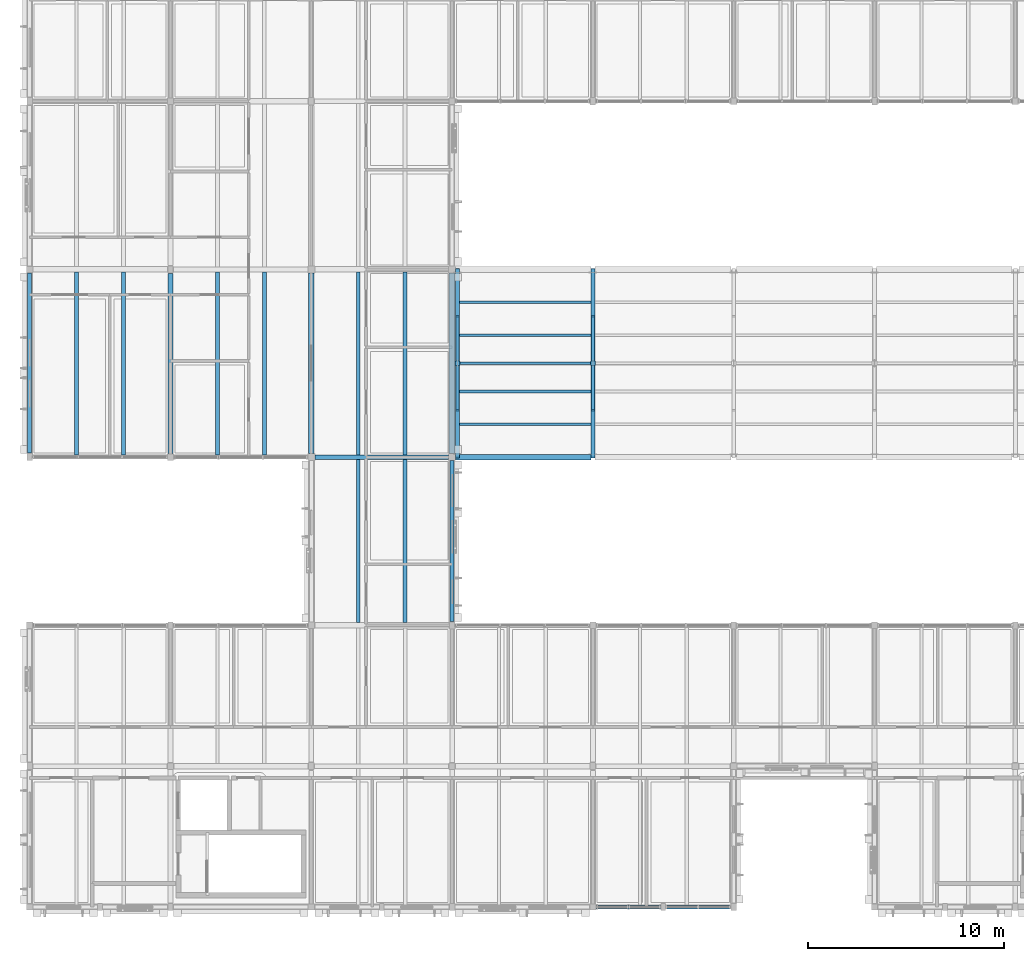
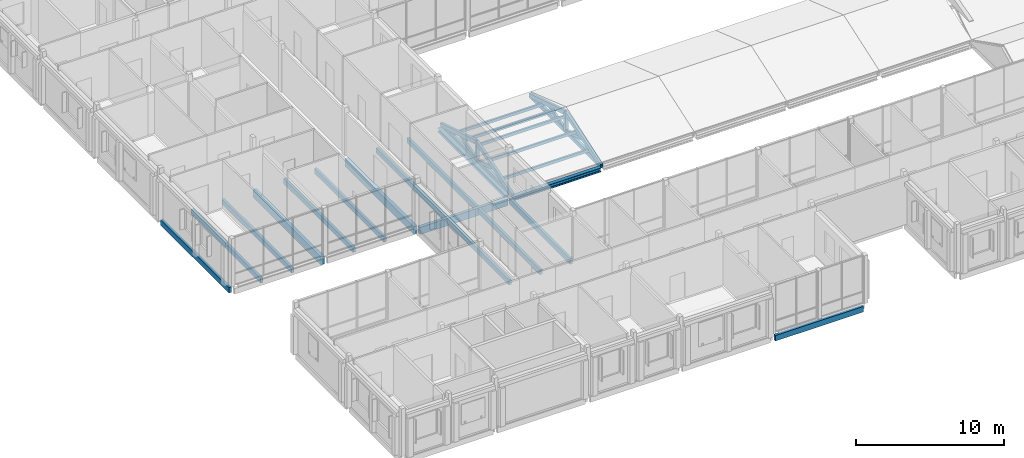
# One storey, part 11 of 115: 17 members, 16 beams.
"""IFC4 building model written with IfcOpenShell, lengths in metres."""

from ifc_helpers import new_model, si_unit, direction, frame, origin, origin_2d, place, context, subcontext, project, spatial, rectangle, i_section, extrude, material, material_profile, profile_set, type_object, element, save


model = new_model("IFC4")

# Units and contexts
model_context = context("Model", 3, precision=1e-05, world=origin(), true_north=direction((0.0, 1.0)))
body_context = subcontext(model_context, "Body", "Model", "MODEL_VIEW")
ifc_project = project(units=[si_unit("LENGTHUNIT", "METRE"), si_unit("AREAUNIT", "SQUARE_METRE"), si_unit("VOLUMEUNIT", "CUBIC_METRE"), si_unit("PLANEANGLEUNIT", "RADIAN"), si_unit("MASSUNIT", "GRAM", prefix="KILO")], contexts=[model_context])

# Site, building, storey
site_placement = place(None, origin())
site = spatial("IfcSite", under=ifc_project, at=site_placement, CompositionType="ELEMENT")
building_placement = place(site_placement, origin())
building = spatial("IfcBuilding", under=site, at=building_placement, Name="Hawrajan Terrace Health Centre", CompositionType="ELEMENT")
storey_placement = place(building_placement, frame((0.0, 0.0, 9.0)))
storey = spatial("IfcBuildingStorey", under=building, at=storey_placement, Name="L02", CompositionType="ELEMENT", Elevation=9.0)

# Beams
ifc_material_1 = material(Name="Glulam GL32h", Category="wood")
ifc_material_profile_1 = material_profile(ifc_material_1, rectangle(XDim=0.239990234375, YDim=0.60009765625, at=origin_2d()), Name="GL BM 240x600")
ifc_profile_set_1 = profile_set([ifc_material_profile_1], Name="Glulam GL32h")
beam_type_1 = type_object("IfcBeamType", Name="GlulamGirder_240x600", PredefinedType="BEAM", material=ifc_profile_set_1)
beam_1_placement = place(storey_placement, frame((19.179931640625, 27.199951171875, -0.5400390625), z_axis=(1.0, 0.0, 0.0), x_axis=(0.0, 1.0, 0.0)))
element("IfcBeam", 1, at=beam_1_placement, inside=storey, type_object=beam_type_1, Name="Beam BM-X-L02-W-03-Y4", PredefinedType="BEAM", context=body_context, shape_type="SweptSolid", body=[
    extrude(rectangle(XDim=0.239990234375, YDim=0.60009765625, at=origin_2d()), origin(), (0.0, 0.0, 1.0), 6.840087890625),
])
ifc_material_profile_2 = material_profile(ifc_material_1, rectangle(XDim=0.280029296875, YDim=0.639892578125, at=origin_2d()), Name="GL BM 280x640")
ifc_profile_set_2 = profile_set([ifc_material_profile_2], Name="Glulam GL32h")
beam_type_2 = type_object("IfcBeamType", Name="GlulamGirder_280x640", PredefinedType="BEAM", material=ifc_profile_set_2)
beam_2_placement = place(storey_placement, frame((11.800048828125, 27.3798828125, -0.56005859375), z_axis=(0.0, 1.0, 0.0), x_axis=(-1.0, 0.0, 0.0)))
element("IfcBeam", 2, at=beam_2_placement, inside=storey, type_object=beam_type_2, Name="Beam BM-Y-L02-W-X02-4", PredefinedType="BEAM", context=body_context, shape_type="SweptSolid", body=[
    extrude(rectangle(XDim=0.280029296875, YDim=0.639892578125, at=origin_2d()), origin(), (0.0, 0.0, 1.0), 9.210205078125),
])
beam_3_placement = place(storey_placement, frame((19.0, 27.3798828125, -0.56005859375), z_axis=(0.0, 1.0, 0.0), x_axis=(-1.0, 0.0, 0.0)))
element("IfcBeam", 3, at=beam_3_placement, inside=storey, type_object=beam_type_2, Name="Beam BM-Y-L02-W-X03-4", PredefinedType="BEAM", context=body_context, shape_type="SweptSolid", body=[
    extrude(rectangle(XDim=0.280029296875, YDim=0.639892578125, at=origin_2d()), origin(), (0.0, 0.0, 1.0), 9.240234375),
])
ifc_material_2 = material(Name="Glulam GL28h", Category="wood")
ifc_material_profile_3 = material_profile(ifc_material_2, rectangle(XDim=0.199951171875, YDim=0.419921875, at=origin_2d()), Name="GL JST 200x420")
ifc_profile_set_3 = profile_set([ifc_material_profile_3], Name="Glulam GL28h")
beam_type_3 = type_object("IfcBeamType", Name="GlulamJoist_200x420", PredefinedType="JOIST", material=ifc_profile_set_3)
for number, where, z_axis, x_axis, name in (
    (4, (7.0, 27.300048828125, -0.449951171875), (0.0, 1.0, 0.0), (-1.0, 0.0, 0.0), "Secondary joist JST-L02-W-01-4-1"),
    (5, (9.39990234375, 27.300048828125, -0.449951171875), (0.0, 1.0, 0.0), (-1.0, 0.0, 0.0), "Secondary joist JST-L02-W-01-4-2"),
):
    element("IfcBeam", number, at=place(storey_placement, frame(where, z_axis=z_axis, x_axis=x_axis)), inside=storey, type_object=beam_type_3, Name=name, PredefinedType="JOIST", context=body_context, shape_type="SweptSolid", body=[
        extrude(rectangle(XDim=0.199951171875, YDim=0.419921875, at=origin_2d()), origin(), (0.0, 0.0, 1.0), 9.35986328125),
    ])
for number, where, z_axis, x_axis, name in (
    (6, (14.199951171875, 27.300048828125, -0.449951171875), (0.0, 1.0, 0.0), (-1.0, 0.0, 0.0), "Secondary joist JST-L02-W-02-4-1"),
    (7, (16.60009765625, 27.300048828125, -0.449951171875), (0.0, 1.0, 0.0), (-1.0, 0.0, 0.0), "Secondary joist JST-L02-W-02-4-2"),
):
    element("IfcBeam", number, at=place(storey_placement, frame(where, z_axis=z_axis, x_axis=x_axis)), inside=storey, type_object=beam_type_3, Name=name, PredefinedType="JOIST", context=body_context, shape_type="SweptSolid", body=[
        extrude(rectangle(XDim=0.199951171875, YDim=0.419921875, at=origin_2d()), origin(), (0.0, 0.0, 1.0), 9.3798828125),
    ])
for number, where, z_axis, x_axis, name in (
    (8, (21.39990234375, 18.739990234375, -0.449951171875), (0.0, 1.0, 0.0), (-1.0, 0.0, 0.0), "Secondary joist JST-L02-W-03-3-1"),
    (9, (23.800048828125, 18.739990234375, -0.449951171875), (0.0, 1.0, 0.0), (-1.0, 0.0, 0.0), "Secondary joist JST-L02-W-03-3-2"),
):
    element("IfcBeam", number, at=place(storey_placement, frame(where, z_axis=z_axis, x_axis=x_axis)), inside=storey, type_object=beam_type_3, Name=name, PredefinedType="JOIST", context=body_context, shape_type="SweptSolid", body=[
        extrude(rectangle(XDim=0.199951171875, YDim=0.419921875, at=origin_2d()), origin(), (0.0, 0.0, 1.0), 8.340087890625),
    ])
for number, where, z_axis, x_axis, name in (
    (10, (21.39990234375, 27.320068359375, -0.449951171875), (0.0, 1.0, 0.0), (-1.0, 0.0, 0.0), "Secondary joist JST-L02-W-03-4-1"),
    (11, (23.800048828125, 27.320068359375, -0.449951171875), (0.0, 1.0, 0.0), (-1.0, 0.0, 0.0), "Secondary joist JST-L02-W-03-4-2"),
):
    element("IfcBeam", number, at=place(storey_placement, frame(where, z_axis=z_axis, x_axis=x_axis)), inside=storey, type_object=beam_type_3, Name=name, PredefinedType="JOIST", context=body_context, shape_type="SweptSolid", body=[
        extrude(rectangle(XDim=0.199951171875, YDim=0.419921875, at=origin_2d()), origin(), (0.0, 0.0, 1.0), 9.33984375),
    ])
ifc_material_profile_4 = material_profile(ifc_material_1, rectangle(XDim=0.199951171875, YDim=0.4599609375, at=origin_2d()), Name="GL SP 200x460")
ifc_profile_set_4 = profile_set([ifc_material_profile_4], Name="Glulam GL32h")
beam_type_4 = type_object("IfcBeamType", Name="GlulamSpandrel_200x460", PredefinedType="SPANDREL", material=ifc_profile_set_4)
beam_4_placement = place(storey_placement, frame((33.580078125, 4.199951171875, -0.469970703125), z_axis=(1.0, 0.0, 0.0), x_axis=(0.0, 1.0, 0.0)))
element("IfcBeam", 12, at=beam_4_placement, inside=storey, type_object=beam_type_4, Name="Beam BM-X-L02-W-05-Y1", PredefinedType="SPANDREL", context=body_context, shape_type="SweptSolid", body=[
    extrude(rectangle(XDim=0.199951171875, YDim=0.4599609375, at=origin_2d()), origin(), (0.0, 0.0, 1.0), 6.85986328125),
])
beam_5_placement = place(storey_placement, frame((4.60009765625, 27.409912109375, -0.469970703125), z_axis=(0.0, 1.0, 0.0), x_axis=(-1.0, 0.0, 0.0)))
element("IfcBeam", 13, at=beam_5_placement, inside=storey, type_object=beam_type_4, Name="Beam BM-Y-L02-W-X01-4", PredefinedType="SPANDREL", context=body_context, shape_type="SweptSolid", body=[
    extrude(rectangle(XDim=0.199951171875, YDim=0.4599609375, at=origin_2d()), origin(), (0.0, 0.0, 1.0), 9.210205078125),
])
beam_6_placement = place(storey_placement, frame((26.199951171875, 18.81005859375, -0.469970703125), z_axis=(0.0, 1.0, 0.0), x_axis=(-1.0, 0.0, 0.0)))
element("IfcBeam", 14, at=beam_6_placement, inside=storey, type_object=beam_type_4, Name="Beam BM-Y-L02-W-X04-3", PredefinedType="SPANDREL", context=body_context, shape_type="SweptSolid", body=[
    extrude(rectangle(XDim=0.199951171875, YDim=0.4599609375, at=origin_2d()), origin(), (0.0, 0.0, 1.0), 8.2099609375),
])

# Members
ifc_material_profile_5 = material_profile(ifc_material_2, rectangle(XDim=0.139892578125, YDim=0.239990234375, at=origin_2d()), Name="GL PUR 140x240")
ifc_profile_set_5 = profile_set([ifc_material_profile_5], Name="Glulam GL28h")
member_type_1 = type_object("IfcMemberType", Name="RoofPurlin_140x240", PredefinedType="PURLIN", material=ifc_profile_set_5)
for number, where, z_axis, x_axis, name in (
    (15, (26.47998046875, 28.8798828125, 0.077880859375), (1.0, 0.0, 0.0), (0.0, 1.0, 0.0), "Tent roof purlin 04-TRS-S1"),
    (16, (26.47998046875, 35.1201171875, 0.077880859375), (1.0, 0.0, 0.0), (0.0, 1.0, 0.0), "Tent roof purlin 04-TRS-N1"),
    (17, (26.47998046875, 30.56005859375, 0.595947265625), (1.0, 0.0, 0.0), (0.0, 1.0, 0.0), "Tent roof purlin 04-TRS-S2"),
    (18, (26.47998046875, 33.43994140625, 0.595947265625), (1.0, 0.0, 0.0), (0.0, 1.0, 0.0), "Tent roof purlin 04-TRS-N2"),
    (19, (26.47998046875, 32.0, 0.97998046875), (1.0, 0.0, 0.0), (0.0, 1.0, 0.0), "Tent ridge purlin 04-TRS"),
):
    element("IfcMember", number, at=place(storey_placement, frame(where, z_axis=z_axis, x_axis=x_axis)), inside=storey, type_object=member_type_1, Name=name, PredefinedType="PURLIN", context=body_context, shape_type="SweptSolid", body=[
        extrude(rectangle(XDim=0.139892578125, YDim=0.239990234375, at=origin_2d()), origin(), (0.0, 0.0, 1.0), 6.919921875),
    ])

# Beams
ifc_material_3 = material(Name="Steel S355", Category="steel")
ifc_material_profile_6 = material_profile(ifc_material_3, i_section(OverallWidth=0.300048828125, OverallDepth=0.2900390625, WebThickness=0.008544921875, FlangeThickness=0.013916015625, FilletRadius=0.027099609375, at=origin_2d()), Name="HEA 300")
ifc_profile_set_6 = profile_set([ifc_material_profile_6], Name="Steel S355")
beam_type_5 = type_object("IfcBeamType", Name="SteelBeam_HEA300", PredefinedType="BEAM", material=ifc_profile_set_6)
beam_7_placement = place(storey_placement, frame((26.199951171875, 27.3798828125, -0.385009765625), z_axis=(0.0, 1.0, 0.0), x_axis=(-1.0, 0.0, 0.0)))
element("IfcBeam", 20, at=beam_7_placement, inside=storey, type_object=beam_type_5, Name="Beam BM-Y-L02-W-X04-4", PredefinedType="BEAM", context=body_context, shape_type="SweptSolid", body=[
    extrude(i_section(OverallWidth=0.300048828125, OverallDepth=0.2900390625, WebThickness=0.008544921875, FlangeThickness=0.013916015625, FilletRadius=0.027099609375, at=origin_2d()), origin(), (0.0, 0.0, 1.0), 9.240234375),
])
ifc_material_profile_7 = material_profile(ifc_material_3, i_section(OverallWidth=0.300048828125, OverallDepth=0.35009765625, WebThickness=0.010009765625, FlangeThickness=0.017578125, FilletRadius=0.027099609375, at=origin_2d()), Name="HEA 360")
ifc_profile_set_7 = profile_set([ifc_material_profile_7], Name="Steel S355")
beam_type_6 = type_object("IfcBeamType", Name="SteelBeam_HEA360", PredefinedType="BEAM", material=ifc_profile_set_7)
beam_8_placement = place(storey_placement, frame((26.3798828125, 27.199951171875, -0.4150390625), z_axis=(1.0, 0.0, 0.0), x_axis=(0.0, 1.0, 0.0)))
element("IfcBeam", 21, at=beam_8_placement, inside=storey, type_object=beam_type_6, Name="Beam BM-X-L02-W-04-Y4", PredefinedType="BEAM", context=body_context, shape_type="SweptSolid", body=[
    extrude(i_section(OverallWidth=0.300048828125, OverallDepth=0.35009765625, WebThickness=0.010009765625, FlangeThickness=0.017578125, FilletRadius=0.027099609375, at=origin_2d()), origin(), (0.0, 0.0, 1.0), 6.91064453125),
])

# Members
ifc_material_profile_8 = material_profile(ifc_material_1, rectangle(XDim=0.199951171875, YDim=0.340087890625, at=origin_2d()), Name="GL CHD 200x340")
ifc_profile_set_8 = profile_set([ifc_material_profile_8], Name="Glulam GL32h")
member_type_2 = type_object("IfcMemberType", Name="TrussChord_200x340", PredefinedType="CHORD", material=ifc_profile_set_8)
member_1_placement = place(storey_placement, frame((26.47998046875, 27.199951171875, -0.219970703125), z_axis=(0.0, 1.0, 0.0), x_axis=(-1.0, 0.0, 0.0)))
element("IfcMember", 22, at=member_1_placement, inside=storey, type_object=member_type_2, Name="Glulam truss tie chord W-G04-TRS", PredefinedType="CHORD", context=body_context, shape_type="SweptSolid", body=[
    extrude(rectangle(XDim=0.199951171875, YDim=0.340087890625, at=origin_2d()), origin(), (0.0, 0.0, 1.0), 9.60009765625),
])
for number, where, z_axis, x_axis, name in (
    (23, (26.47998046875, 27.199951171875, -0.219970703125), (0.0, 0.955608602252, 0.294639100089), (-1.0, 0.0, 0.0), "Glulam truss south top chord W-G04-TRS"),
    (24, (26.47998046875, 32.0, 1.260009765625), (0.0, 0.955608602252, -0.294639100089), (-1.0, 0.0, 0.0), "Glulam truss north top chord W-G04-TRS"),
):
    element("IfcMember", number, at=place(storey_placement, frame(where, z_axis=z_axis, x_axis=x_axis)), inside=storey, type_object=member_type_2, Name=name, PredefinedType="CHORD", context=body_context, shape_type="SweptSolid", body=[
        extrude(rectangle(XDim=0.199951171875, YDim=0.340087890625, at=origin_2d()), origin(), (0.0, 0.0, 1.0), 5.02294921875),
    ])
member_2_placement = place(storey_placement, frame((33.39990234375, 27.199951171875, -0.219970703125), z_axis=(0.0, 1.0, 0.0), x_axis=(-1.0, 0.0, 0.0)))
element("IfcMember", 25, at=member_2_placement, inside=storey, type_object=member_type_2, Name="Glulam truss tie chord W-G05-TRS", PredefinedType="CHORD", context=body_context, shape_type="SweptSolid", body=[
    extrude(rectangle(XDim=0.199951171875, YDim=0.340087890625, at=origin_2d()), origin(), (0.0, 0.0, 1.0), 9.60009765625),
])
for number, where, z_axis, x_axis, name in (
    (26, (33.39990234375, 27.199951171875, -0.219970703125), (0.0, 0.955608602252, 0.294639100089), (-1.0, 0.0, 0.0), "Glulam truss south top chord W-G05-TRS"),
    (27, (33.39990234375, 32.0, 1.260009765625), (0.0, 0.955608602252, -0.294639100089), (-1.0, 0.0, 0.0), "Glulam truss north top chord W-G05-TRS"),
):
    element("IfcMember", number, at=place(storey_placement, frame(where, z_axis=z_axis, x_axis=x_axis)), inside=storey, type_object=member_type_2, Name=name, PredefinedType="CHORD", context=body_context, shape_type="SweptSolid", body=[
        extrude(rectangle(XDim=0.199951171875, YDim=0.340087890625, at=origin_2d()), origin(), (0.0, 0.0, 1.0), 5.02294921875),
    ])
ifc_material_profile_9 = material_profile(ifc_material_2, rectangle(XDim=0.239990234375, YDim=0.239990234375, at=origin_2d()), Name="GL KP 240x240")
ifc_profile_set_9 = profile_set([ifc_material_profile_9], Name="Glulam GL28h")
member_type_3 = type_object("IfcMemberType", Name="TrussKingPost_240x240", PredefinedType="STRUT", material=ifc_profile_set_9)
for number, where, z_axis, x_axis, name in (
    (28, (26.47998046875, 32.0, -0.219970703125), (0.0, 0.0, 1.0), (1.0, 0.0, 0.0), "Glulam truss king post W-G04-TRS"),
    (29, (33.39990234375, 32.0, -0.219970703125), (0.0, 0.0, 1.0), (1.0, 0.0, 0.0), "Glulam truss king post W-G05-TRS"),
):
    element("IfcMember", number, at=place(storey_placement, frame(where, z_axis=z_axis, x_axis=x_axis)), inside=storey, type_object=member_type_3, Name=name, PredefinedType="STRUT", context=body_context, shape_type="SweptSolid", body=[
        extrude(rectangle(XDim=0.239990234375, YDim=0.239990234375, at=origin_2d()), origin(), (0.0, 0.0, 1.0), 1.47998046875),
    ])
ifc_material_profile_10 = material_profile(ifc_material_2, rectangle(XDim=0.159912109375, YDim=0.239990234375, at=origin_2d()), Name="GL WEB 160x240")
ifc_profile_set_10 = profile_set([ifc_material_profile_10], Name="Glulam GL28h")
member_type_4 = type_object("IfcMemberType", Name="TrussStrut_160x240", PredefinedType="STRUT", material=ifc_profile_set_10)
for number, where, z_axis, x_axis, name in (
    (30, (26.47998046875, 32.0, -0.219970703125), (0.0, -0.955604382515, 0.294652785697), (1.0, 0.0, 0.0), "Glulam truss web strut S W-G04-TRS"),
    (31, (26.47998046875, 32.0, -0.219970703125), (0.0, 0.955604382515, 0.294652785697), (-1.0, 0.0, 0.0), "Glulam truss web strut N W-G04-TRS"),
    (32, (33.39990234375, 32.0, -0.219970703125), (0.0, -0.955604382515, 0.294652785697), (1.0, 0.0, 0.0), "Glulam truss web strut S W-G05-TRS"),
    (33, (33.39990234375, 32.0, -0.219970703125), (0.0, 0.955604382515, 0.294652785697), (-1.0, 0.0, 0.0), "Glulam truss web strut N W-G05-TRS"),
):
    element("IfcMember", number, at=place(storey_placement, frame(where, z_axis=z_axis, x_axis=x_axis)), inside=storey, type_object=member_type_4, Name=name, PredefinedType="STRUT", context=body_context, shape_type="SweptSolid", body=[
        extrude(rectangle(XDim=0.159912109375, YDim=0.239990234375, at=origin_2d()), origin(), (0.0, 0.0, 1.0), 2.511474609375),
    ])

save(model, "model.ifc")
